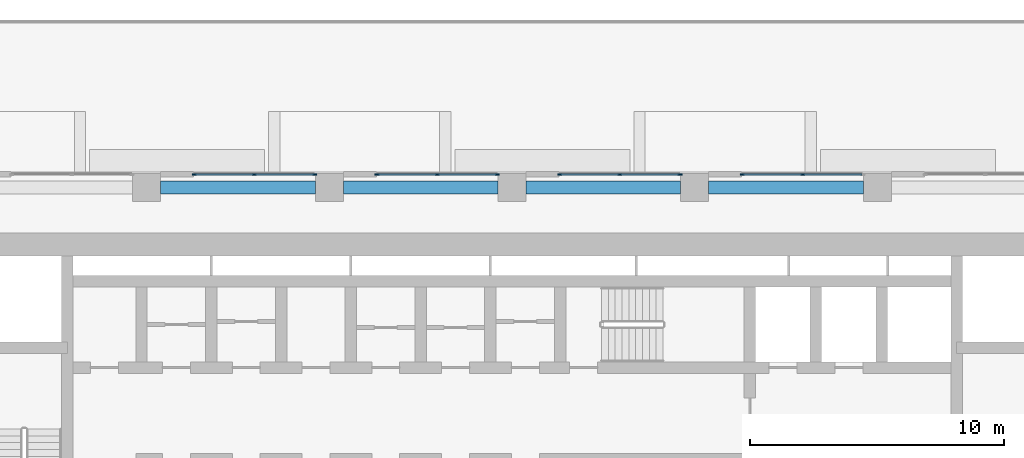
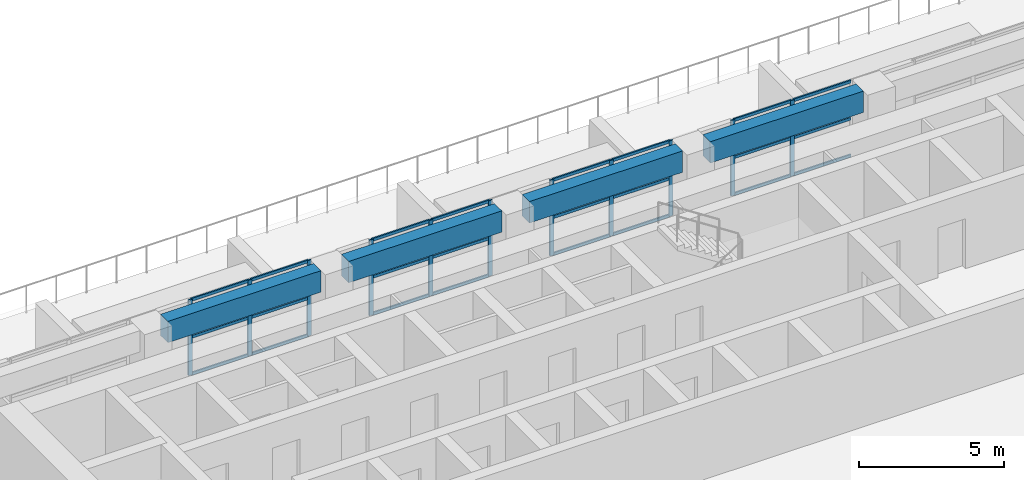
# One storey, part 6 of 24: 35 members, 4 beams, 4 elements without a shape of their own.
"""IFC4 building model written with IfcOpenShell, lengths in metres."""

import ifcopenshell
import ifcopenshell.guid

model = None  # the IFC model being written
_history = None  # IfcOwnerHistory: only IFC2X3 demands one
_inside = {}  # id of a spatial element -> (the spatial element, [elements in it])
_under = {}  # id of a project, library or spatial element -> (it, [spatial elements below it])
_declared = {}  # id of a project -> (the project, [libraries it declares])
_typed = {}  # id of a type object -> (the type object, [elements of that type])
_made_of = {}  # id of a material, layer set ... -> (it, [elements and type objects made of it])


def new_model(schema):
    """Start an empty IFC model of exactly this schema.

    Asked for "IFC4X3", IfcOpenShell would pick the latest addendum, in which some entities
    have other attributes; the version numbers below select the first issue.
    IFC2X3 requires an IfcOwnerHistory on every rooted entity: one is made here for all.
    """
    global model, _history
    if schema == "IFC4X3":
        model = ifcopenshell.file(schema_version=(4, 3, 0, 0))
    else:
        model = ifcopenshell.file(schema=schema)
    _inside.clear()
    _under.clear()
    _declared.clear()
    _typed.clear()
    _made_of.clear()
    _history = None
    if model.schema == "IFC2X3":
        org = make("IfcOrganization", Name="unknown")
        user = make(
            "IfcPersonAndOrganization",
            ThePerson=make("IfcPerson", FamilyName="unknown"),
            TheOrganization=org,
        )
        app = make(
            "IfcApplication",
            ApplicationDeveloper=org,
            Version="unknown",
            ApplicationFullName="unknown",
            ApplicationIdentifier="unknown",
        )
        _history = make(
            "IfcOwnerHistory",
            OwningUser=user,
            OwningApplication=app,
            ChangeAction="ADDED",
            CreationDate=0,
        )
    return model


def make(cls, **values):
    """One entity of the class cls with the attributes given. An attribute that is None is left unset."""
    return model.create_entity(
        cls, **{name: value for name, value in values.items() if value is not None}
    )


def rooted(cls, **values):
    """An entity with a GlobalId (a new one), such as an element, a storey or a relation."""
    return make(cls, GlobalId=ifcopenshell.guid.new(), OwnerHistory=_history, **values)


def si_unit(unit_type, name, prefix=None):
    """IfcSIUnit, for example si_unit("LENGTHUNIT", "METRE", prefix="MILLI")."""
    return make("IfcSIUnit", UnitType=unit_type, Prefix=prefix, Name=name)


def assignment(units):
    """IfcUnitAssignment: the units of a project."""
    return None if units is None else make("IfcUnitAssignment", Units=units)


def point(xyz):
    """IfcCartesianPoint."""
    return None if xyz is None else make("IfcCartesianPoint", Coordinates=xyz)


def direction(xyz):
    """IfcDirection."""
    return None if xyz is None else make("IfcDirection", DirectionRatios=xyz)


def frame(location, z_axis=None, x_axis=None):
    """IfcAxis2Placement3D, a coordinate frame: its origin and axes. An axis left out is left unset."""
    return make(
        "IfcAxis2Placement3D",
        Location=point(location),
        Axis=direction(z_axis),
        RefDirection=direction(x_axis),
    )


def frame_2d(location, x_axis=None):
    """IfcAxis2Placement2D, a coordinate frame in the plane: its origin and x axis."""
    return make(
        "IfcAxis2Placement2D", Location=point(location), RefDirection=direction(x_axis)
    )


def origin():
    """The frame at (0, 0, 0) with its axes left unset."""
    return frame((0.0, 0.0, 0.0))


def origin_2d():
    """The frame at (0, 0) in the plane with its x axis left unset."""
    return frame_2d((0.0, 0.0))


def place(relative_to, where):
    """IfcLocalPlacement: puts the frame where relative to a parent placement (None: the world)."""
    return make(
        "IfcLocalPlacement", PlacementRelTo=relative_to, RelativePlacement=where
    )


def context(
    kind, dimensions, precision=None, world=None, true_north=None, identifier=None
):
    """IfcGeometricRepresentationContext, for example the 3D "Model" context."""
    return make(
        "IfcGeometricRepresentationContext",
        ContextIdentifier=identifier,
        ContextType=kind,
        CoordinateSpaceDimension=dimensions,
        Precision=precision,
        WorldCoordinateSystem=world,
        TrueNorth=true_north,
    )


def subcontext(parent, identifier, kind, view, scale=None):
    """IfcGeometricRepresentationSubContext, for example "Body" below "Model"."""
    return make(
        "IfcGeometricRepresentationSubContext",
        ContextIdentifier=identifier,
        ContextType=kind,
        ParentContext=parent,
        TargetScale=scale,
        TargetView=view,
    )


def project(units=None, contexts=None):
    """IfcProject with its units and contexts."""
    return rooted(
        "IfcProject",
        Name="project",
        RepresentationContexts=contexts,
        UnitsInContext=assignment(units),
    )


def spatial(cls, under=None, at=None, **own):
    """A site, building, storey or space (cls), placed at a placement, below another one or the project."""
    s = rooted(cls, ObjectPlacement=at, **own)
    if under is not None:
        _under.setdefault(under.id(), (under, []))[1].append(s)
    return s


def profile(cls, at=None, kind="AREA", **sizes):
    """A parametric profile (cls). Its sizes go by their IFC names, for example OverallWidth=200.0."""
    return make(cls, ProfileType=kind, Position=at, **sizes)


def rectangle(**sizes):
    """IfcRectangleProfileDef."""
    return profile("IfcRectangleProfileDef", **sizes)


def extrude(swept, where, along, depth):
    """IfcExtrudedAreaSolid: the profile swept, set in the frame where, extruded along a direction by depth."""
    return make(
        "IfcExtrudedAreaSolid",
        SweptArea=swept,
        Position=where,
        ExtrudedDirection=direction(along),
        Depth=depth,
    )


def shape(context_of_items, identifier, shape_type, items):
    """IfcShapeRepresentation: the items that make up one representation, for example the "Body"."""
    return make(
        "IfcShapeRepresentation",
        ContextOfItems=context_of_items,
        RepresentationIdentifier=identifier,
        RepresentationType=shape_type,
        Items=items,
    )


def source(mapping_origin, context_of_items, identifier, shape_type, items):
    """IfcRepresentationMap: a shape defined once, which mapped items show again and again."""
    return make(
        "IfcRepresentationMap",
        MappingOrigin=mapping_origin,
        MappedRepresentation=shape(context_of_items, identifier, shape_type, items),
    )


def transform(
    local_origin,
    x_axis=None,
    y_axis=None,
    z_axis=None,
    scale=None,
    scale2=None,
    scale3=None,
    uniform=True,
):
    """IfcCartesianTransformationOperator3D, or its non-uniform kind. x_axis, y_axis, z_axis: its Axis1, 2, 3."""
    if uniform:
        return make(
            "IfcCartesianTransformationOperator3D",
            Axis1=direction(x_axis),
            Axis2=direction(y_axis),
            LocalOrigin=point(local_origin),
            Scale=scale,
            Axis3=direction(z_axis),
        )
    return make(
        "IfcCartesianTransformationOperator3DnonUniform",
        Axis1=direction(x_axis),
        Axis2=direction(y_axis),
        LocalOrigin=point(local_origin),
        Scale=scale,
        Axis3=direction(z_axis),
        Scale2=scale2,
        Scale3=scale3,
    )


def mapped(mapping_source, mapping_target):
    """IfcMappedItem: shows the shape of a source again, moved by a transform."""
    return make(
        "IfcMappedItem", MappingSource=mapping_source, MappingTarget=mapping_target
    )


def material(Name=None, Category=None):
    """IfcMaterial."""
    return make("IfcMaterial", Name=Name, Category=Category)


def layer(
    of_material, thickness, ventilated=None, Name=None, Category=None, Priority=None
):
    """IfcMaterialLayer: one layer of a wall or slab, of a material (None: an air gap)."""
    return make(
        "IfcMaterialLayer",
        Material=of_material,
        LayerThickness=thickness,
        IsVentilated=ventilated,
        Name=Name,
        Category=Category,
        Priority=Priority,
    )


def layer_set(layers, Name=None):
    """IfcMaterialLayerSet."""
    return make("IfcMaterialLayerSet", MaterialLayers=layers, LayerSetName=Name)


def material_profile(
    of_material, cross_section, Name=None, Category=None, Priority=None
):
    """IfcMaterialProfile: a cross section and its material."""
    return make(
        "IfcMaterialProfile",
        Name=Name,
        Material=of_material,
        Profile=cross_section,
        Priority=Priority,
        Category=Category,
    )


def profile_set(profiles, Name=None, composite=None):
    """IfcMaterialProfileSet."""
    return make(
        "IfcMaterialProfileSet",
        Name=Name,
        MaterialProfiles=profiles,
        CompositeProfile=composite,
    )


def made_of(thing, what):
    """Note that an element or type object is made of a material, layer set ...; save() writes the relation."""
    if what is not None:
        _made_of.setdefault(what.id(), (what, []))[1].append(thing)
    return thing


def type_object(cls, material=None, **own):
    """A type object (cls), such as IfcWallType, which elements share."""
    return made_of(rooted(cls, **own), material)


def element(
    cls,
    number,
    at=None,
    inside=None,
    cuts=None,
    type_object=None,
    material=None,
    context=None,
    identifier="Body",
    shape_type=None,
    held_by="IfcProductDefinitionShape",
    body=None,
    shapes=None,
    **own,
):
    """One element of the class cls, such as IfcWall. Its Tag is "e" and its number.

    at: its placement. inside: the storey or other place that contains it. cuts: it is an
    opening in that element (IfcRelVoidsElement). A single representation is given by context,
    identifier, shape_type and body (its items); several are given by shapes. held_by: the class
    of the entity that holds the representations. save() writes the other relations.
    """
    e = rooted(cls, Tag="e%d" % number, ObjectPlacement=at, **own)
    if body is not None:
        shapes = [shape(context, identifier, shape_type, body)]
    if shapes is not None:
        e.Representation = make(held_by, Representations=shapes)
    if inside is not None:
        _inside.setdefault(inside.id(), (inside, []))[1].append(e)
    if cuts is not None:
        rooted(
            "IfcRelVoidsElement", RelatingBuildingElement=cuts, RelatedOpeningElement=e
        )
    if type_object is not None:
        _typed.setdefault(type_object.id(), (type_object, []))[1].append(e)
    return made_of(e, material)


def aggregate(whole, parts):
    """IfcRelAggregates: a whole, such as a stair, and the parts it consists of."""
    return rooted("IfcRelAggregates", RelatingObject=whole, RelatedObjects=parts)


def save(model, path):
    """Write the relations noted so far, then the file.

    IfcRelAggregates (storeys below a building ...), IfcRelContainedInSpatialStructure (elements
    in a storey), IfcRelDefinesByType, IfcRelAssociatesMaterial and IfcRelDeclares: one each for
    every whole, place, type object, material and project.
    """
    for whole, parts in _under.values():
        aggregate(whole, parts)
    for where, things in _inside.values():
        rooted(
            "IfcRelContainedInSpatialStructure",
            RelatedElements=things,
            RelatingStructure=where,
        )
    for kind, things in _typed.values():
        rooted("IfcRelDefinesByType", RelatedObjects=things, RelatingType=kind)
    for what, things in _made_of.values():
        rooted("IfcRelAssociatesMaterial", RelatedObjects=things, RelatingMaterial=what)
    for by, libraries in _declared.values():
        rooted("IfcRelDeclares", RelatingContext=by, RelatedDefinitions=libraries)
    model.write(path)


model = new_model("IFC4")

# Units and contexts
model_context = context("Model", 3, precision=1e-05, world=origin(), true_north=direction((0.0, 1.0)))
body_context = subcontext(model_context, "Body", "Model", "MODEL_VIEW")
ifc_project = project(units=[si_unit("LENGTHUNIT", "METRE"), si_unit("AREAUNIT", "SQUARE_METRE"), si_unit("VOLUMEUNIT", "CUBIC_METRE"), si_unit("PLANEANGLEUNIT", "RADIAN"), si_unit("MASSUNIT", "GRAM", prefix="KILO")], contexts=[model_context])

# Site, building, storey
site_placement = place(None, origin())
site = spatial("IfcSite", under=ifc_project, at=site_placement, CompositionType="ELEMENT")
building_placement = place(site_placement, origin())
building = spatial("IfcBuilding", under=site, at=building_placement, Name="Saffron Iwan Residences", CompositionType="ELEMENT")
storey_placement = place(building_placement, frame((0.0, 0.0, 27.0)))
storey = spatial("IfcBuildingStorey", under=building, at=storey_placement, Name="L05", CompositionType="ELEMENT", Elevation=27.0)

# Beams
ifc_material_1 = material(Name="Concrete C60/75", Category="concrete")
ifc_material_profile_1 = material_profile(ifc_material_1, rectangle(XDim=0.5, YDim=0.89990234375, at=origin_2d()), Name="RC 500x900")
ifc_profile_set_1 = profile_set([ifc_material_profile_1], Name="Concrete C60/75")
beam_type = type_object("IfcBeamType", Name="SPANDREL BEAM RC 500x900 C60/75 TOP 3180", PredefinedType="SPANDREL", material=ifc_profile_set_1)
shared_shape_1 = source(origin(), body_context, "Body", "SweptSolid", [
    extrude(rectangle(XDim=0.5, YDim=0.89990234375, at=origin_2d()), origin(), (0.0, 0.0, 1.0), 6.10009765625),
])
for number, where, z_axis, x_axis, name in (
    (1, (43.75, 79.800048828125, 2.72998046875), (1.0, 0.0, 0.0), (0.0, 1.0, 0.0), "Spandrel beam"),
    (2, (50.949951171875, 79.800048828125, 2.72998046875), (1.0, 0.0, 0.0), (0.0, 1.0, 0.0), "Spandrel beam"),
    (3, (58.14990234375, 79.800048828125, 2.72998046875), (1.0, 0.0, 0.0), (0.0, 1.0, 0.0), "Spandrel beam"),
):
    element("IfcBeam", number, at=place(storey_placement, frame(where, z_axis=z_axis, x_axis=x_axis)), inside=storey, type_object=beam_type, Name=name, PredefinedType="SPANDREL", context=body_context, shape_type="MappedRepresentation", body=[
        mapped(shared_shape_1, transform((0.0, 0.0, 0.0))),
    ])
shared_shape_2 = source(origin(), body_context, "Body", "SweptSolid", [
    extrude(rectangle(XDim=0.5, YDim=0.89990234375, at=origin_2d()), origin(), (0.0, 0.0, 1.0), 6.099853515625),
])
beam_placement = place(storey_placement, frame((36.550048828125, 79.800048828125, 2.72998046875), z_axis=(1.0, 0.0, 0.0), x_axis=(0.0, 1.0, 0.0)))
element("IfcBeam", 4, at=beam_placement, inside=storey, type_object=beam_type, Name="Spandrel beam", PredefinedType="SPANDREL", context=body_context, shape_type="MappedRepresentation", body=[
    mapped(shared_shape_2, transform((0.0, 0.0, 0.0))),
])

# Curtain wall, members
ifc_material_2 = material(Name="Clear glass, laminated double glazed", Category="glass")
ifc_layer = layer(ifc_material_2, 0.14990234375)
ifc_layer_set = layer_set([ifc_layer], Name="Clear glass, laminated double glazed")
curtain_wall_type = type_object("IfcCurtainWallType", Name="CW-D GARDEN FLOOR GLAZING", PredefinedType="NOTDEFINED", material=ifc_layer_set)
curtain_wall_1_placement = place(storey_placement, origin())
curtain_wall_1 = element("IfcCurtainWall", 5, at=curtain_wall_1_placement, inside=storey, type_object=curtain_wall_type, Name="Glazing L05 F5.3", PredefinedType="NOTDEFINED")
ifc_material_3 = material(Name="Aluminium 6063-T6", Category="aluminium")
ifc_material_profile_2 = material_profile(ifc_material_3, rectangle(XDim=0.06005859375, YDim=0.159912109375, at=origin_2d()), Name="CW-D MULLION 60 x 160")
ifc_profile_set_2 = profile_set([ifc_material_profile_2], Name="Aluminium 6063-T6")
member_type_1 = type_object("IfcMemberType", Name="CW-D MULLION 60 x 160", PredefinedType="MULLION", material=ifc_profile_set_2)
shared_shape_3 = source(origin(), body_context, "Body", "SweptSolid", [
    extrude(rectangle(XDim=0.06005859375, YDim=0.159912109375, at=origin_2d()), origin(), (0.0, 0.0, 1.0), 3.179931640625),
])
member_1_placement = place(storey_placement, frame((61.85009765625, 80.320068359375, 0.0), z_axis=(0.0, 0.0, 1.0), x_axis=(0.0, -1.0, 0.0)))
member_1 = element("IfcMember", 6, at=member_1_placement, type_object=member_type_1, Name="CW-D mullion 2", PredefinedType="MULLION", context=body_context, shape_type="MappedRepresentation", body=[
    mapped(shared_shape_3, transform((0.0, 0.0, 0.0))),
])
member_2_placement = place(storey_placement, frame((59.47998046875, 80.320068359375, 0.0), z_axis=(0.0, 0.0, 1.0), x_axis=(0.0, -1.0, 0.0)))
member_2 = element("IfcMember", 7, at=member_2_placement, type_object=member_type_1, Name="CW-D mullion 3", PredefinedType="MULLION", context=body_context, shape_type="MappedRepresentation", body=[
    mapped(shared_shape_3, transform((0.0, 0.0, 0.0))),
])

curtain_wall_2_placement = place(storey_placement, origin())
curtain_wall_2 = element("IfcCurtainWall", 8, at=curtain_wall_2_placement, inside=storey, type_object=curtain_wall_type, Name="Glazing L05 F5.4", PredefinedType="NOTDEFINED")
member_3_placement = place(storey_placement, frame((57.02001953125, 80.320068359375, 0.0), z_axis=(0.0, 0.0, 1.0), x_axis=(0.0, -1.0, 0.0)))
member_3 = element("IfcMember", 9, at=member_3_placement, type_object=member_type_1, Name="CW-D mullion 1", PredefinedType="MULLION", context=body_context, shape_type="MappedRepresentation", body=[
    mapped(shared_shape_3, transform((0.0, 0.0, 0.0))),
])
member_4_placement = place(storey_placement, frame((54.64990234375, 80.320068359375, 0.0), z_axis=(0.0, 0.0, 1.0), x_axis=(0.0, -1.0, 0.0)))
member_4 = element("IfcMember", 10, at=member_4_placement, type_object=member_type_1, Name="CW-D mullion 2", PredefinedType="MULLION", context=body_context, shape_type="MappedRepresentation", body=[
    mapped(shared_shape_3, transform((0.0, 0.0, 0.0))),
])
member_5_placement = place(storey_placement, frame((52.280029296875, 80.320068359375, 0.0), z_axis=(0.0, 0.0, 1.0), x_axis=(0.0, -1.0, 0.0)))
member_5 = element("IfcMember", 11, at=member_5_placement, type_object=member_type_1, Name="CW-D mullion 3", PredefinedType="MULLION", context=body_context, shape_type="MappedRepresentation", body=[
    mapped(shared_shape_3, transform((0.0, 0.0, 0.0))),
])

curtain_wall_3_placement = place(storey_placement, origin())
curtain_wall_3 = element("IfcCurtainWall", 12, at=curtain_wall_3_placement, inside=storey, type_object=curtain_wall_type, Name="Glazing L05 F5.5", PredefinedType="NOTDEFINED")
member_6_placement = place(storey_placement, frame((49.820068359375, 80.320068359375, 0.0), z_axis=(0.0, 0.0, 1.0), x_axis=(0.0, -1.0, 0.0)))
member_6 = element("IfcMember", 13, at=member_6_placement, type_object=member_type_1, Name="CW-D mullion 1", PredefinedType="MULLION", context=body_context, shape_type="MappedRepresentation", body=[
    mapped(shared_shape_3, transform((0.0, 0.0, 0.0))),
])
member_7_placement = place(storey_placement, frame((47.449951171875, 80.320068359375, 0.0), z_axis=(0.0, 0.0, 1.0), x_axis=(0.0, -1.0, 0.0)))
member_7 = element("IfcMember", 14, at=member_7_placement, type_object=member_type_1, Name="CW-D mullion 2", PredefinedType="MULLION", context=body_context, shape_type="MappedRepresentation", body=[
    mapped(shared_shape_3, transform((0.0, 0.0, 0.0))),
])
member_8_placement = place(storey_placement, frame((45.080078125, 80.320068359375, 0.0), z_axis=(0.0, 0.0, 1.0), x_axis=(0.0, -1.0, 0.0)))
member_8 = element("IfcMember", 15, at=member_8_placement, type_object=member_type_1, Name="CW-D mullion 3", PredefinedType="MULLION", context=body_context, shape_type="MappedRepresentation", body=[
    mapped(shared_shape_3, transform((0.0, 0.0, 0.0))),
])

curtain_wall_4_placement = place(storey_placement, origin())
curtain_wall_4 = element("IfcCurtainWall", 16, at=curtain_wall_4_placement, inside=storey, type_object=curtain_wall_type, Name="Glazing L05 F5.6", PredefinedType="NOTDEFINED")
member_9_placement = place(storey_placement, frame((42.6201171875, 80.320068359375, 0.0), z_axis=(0.0, 0.0, 1.0), x_axis=(0.0, -1.0, 0.0)))
member_9 = element("IfcMember", 17, at=member_9_placement, type_object=member_type_1, Name="CW-D mullion 1", PredefinedType="MULLION", context=body_context, shape_type="MappedRepresentation", body=[
    mapped(shared_shape_3, transform((0.0, 0.0, 0.0))),
])
member_10_placement = place(storey_placement, frame((40.25, 80.320068359375, 0.0), z_axis=(0.0, 0.0, 1.0), x_axis=(0.0, -1.0, 0.0)))
member_10 = element("IfcMember", 18, at=member_10_placement, type_object=member_type_1, Name="CW-D mullion 2", PredefinedType="MULLION", context=body_context, shape_type="MappedRepresentation", body=[
    mapped(shared_shape_3, transform((0.0, 0.0, 0.0))),
])
member_11_placement = place(storey_placement, frame((37.8798828125, 80.320068359375, 0.0), z_axis=(0.0, 0.0, 1.0), x_axis=(0.0, -1.0, 0.0)))
member_11 = element("IfcMember", 19, at=member_11_placement, type_object=member_type_1, Name="CW-D mullion 3", PredefinedType="MULLION", context=body_context, shape_type="MappedRepresentation", body=[
    mapped(shared_shape_3, transform((0.0, 0.0, 0.0))),
])

# Member
ifc_material_profile_3 = material_profile(ifc_material_3, rectangle(XDim=0.06005859375, YDim=0.1201171875, at=origin_2d()), Name="CW-D TRANSOM 60 x 120")
ifc_profile_set_3 = profile_set([ifc_material_profile_3], Name="Aluminium 6063-T6")
member_type_2 = type_object("IfcMemberType", Name="CW-D TRANSOM 60 x 120", PredefinedType="USERDEFINED", material=ifc_profile_set_3)
shared_shape_4 = source(origin(), body_context, "Body", "SweptSolid", [
    extrude(rectangle(XDim=0.06005859375, YDim=0.1201171875, at=origin_2d()), origin(), (0.0, 0.0, 1.0), 2.31005859375),
])
member_12_placement = place(storey_placement, frame((64.18994140625, 80.320068359375, 0.030029296875), z_axis=(-1.0, 0.0, 0.0), x_axis=(0.0, -1.0, 0.0)))
member_12 = element("IfcMember", 20, at=member_12_placement, type_object=member_type_2, Name="CW-D transom 1.1", ObjectType="TRANSOM", PredefinedType="USERDEFINED", context=body_context, shape_type="MappedRepresentation", body=[
    mapped(shared_shape_4, transform((0.0, 0.0, 0.0))),
])

member_13_placement = place(storey_placement, frame((64.18994140625, 80.320068359375, 1.590087890625), z_axis=(-1.0, 0.0, 0.0), x_axis=(0.0, -1.0, 0.0)))
member_13 = element("IfcMember", 21, at=member_13_placement, type_object=member_type_2, Name="CW-D transom 1.2", ObjectType="TRANSOM", PredefinedType="USERDEFINED", context=body_context, shape_type="MappedRepresentation", body=[
    mapped(shared_shape_4, transform((0.0, 0.0, 0.0))),
])

member_14_placement = place(storey_placement, frame((64.18994140625, 80.320068359375, 3.14990234375), z_axis=(-1.0, 0.0, 0.0), x_axis=(0.0, -1.0, 0.0)))
member_14 = element("IfcMember", 22, at=member_14_placement, type_object=member_type_2, Name="CW-D transom 1.3", ObjectType="TRANSOM", PredefinedType="USERDEFINED", context=body_context, shape_type="MappedRepresentation", body=[
    mapped(shared_shape_4, transform((0.0, 0.0, 0.0))),
])

member_15_placement = place(storey_placement, frame((61.820068359375, 80.320068359375, 0.030029296875), z_axis=(-1.0, 0.0, 0.0), x_axis=(0.0, -1.0, 0.0)))
member_15 = element("IfcMember", 23, at=member_15_placement, type_object=member_type_2, Name="CW-D transom 2.1", ObjectType="TRANSOM", PredefinedType="USERDEFINED", context=body_context, shape_type="MappedRepresentation", body=[
    mapped(shared_shape_4, transform((0.0, 0.0, 0.0))),
])

member_16_placement = place(storey_placement, frame((61.820068359375, 80.320068359375, 1.590087890625), z_axis=(-1.0, 0.0, 0.0), x_axis=(0.0, -1.0, 0.0)))
member_16 = element("IfcMember", 24, at=member_16_placement, type_object=member_type_2, Name="CW-D transom 2.2", ObjectType="TRANSOM", PredefinedType="USERDEFINED", context=body_context, shape_type="MappedRepresentation", body=[
    mapped(shared_shape_4, transform((0.0, 0.0, 0.0))),
])

member_17_placement = place(storey_placement, frame((61.820068359375, 80.320068359375, 3.14990234375), z_axis=(-1.0, 0.0, 0.0), x_axis=(0.0, -1.0, 0.0)))
member_17 = element("IfcMember", 25, at=member_17_placement, type_object=member_type_2, Name="CW-D transom 2.3", ObjectType="TRANSOM", PredefinedType="USERDEFINED", context=body_context, shape_type="MappedRepresentation", body=[
    mapped(shared_shape_4, transform((0.0, 0.0, 0.0))),
])

aggregate(curtain_wall_1, [member_1, member_2, member_12, member_13, member_14, member_15, member_16, member_17])

member_18_placement = place(storey_placement, frame((56.989990234375, 80.320068359375, 0.030029296875), z_axis=(-1.0, 0.0, 0.0), x_axis=(0.0, -1.0, 0.0)))
member_18 = element("IfcMember", 26, at=member_18_placement, type_object=member_type_2, Name="CW-D transom 1.1", ObjectType="TRANSOM", PredefinedType="USERDEFINED", context=body_context, shape_type="MappedRepresentation", body=[
    mapped(shared_shape_4, transform((0.0, 0.0, 0.0))),
])

member_19_placement = place(storey_placement, frame((56.989990234375, 80.320068359375, 1.590087890625), z_axis=(-1.0, 0.0, 0.0), x_axis=(0.0, -1.0, 0.0)))
member_19 = element("IfcMember", 27, at=member_19_placement, type_object=member_type_2, Name="CW-D transom 1.2", ObjectType="TRANSOM", PredefinedType="USERDEFINED", context=body_context, shape_type="MappedRepresentation", body=[
    mapped(shared_shape_4, transform((0.0, 0.0, 0.0))),
])

member_20_placement = place(storey_placement, frame((56.989990234375, 80.320068359375, 3.14990234375), z_axis=(-1.0, 0.0, 0.0), x_axis=(0.0, -1.0, 0.0)))
member_20 = element("IfcMember", 28, at=member_20_placement, type_object=member_type_2, Name="CW-D transom 1.3", ObjectType="TRANSOM", PredefinedType="USERDEFINED", context=body_context, shape_type="MappedRepresentation", body=[
    mapped(shared_shape_4, transform((0.0, 0.0, 0.0))),
])

member_21_placement = place(storey_placement, frame((54.6201171875, 80.320068359375, 0.030029296875), z_axis=(-1.0, 0.0, 0.0), x_axis=(0.0, -1.0, 0.0)))
member_21 = element("IfcMember", 29, at=member_21_placement, type_object=member_type_2, Name="CW-D transom 2.1", ObjectType="TRANSOM", PredefinedType="USERDEFINED", context=body_context, shape_type="MappedRepresentation", body=[
    mapped(shared_shape_4, transform((0.0, 0.0, 0.0))),
])

member_22_placement = place(storey_placement, frame((54.6201171875, 80.320068359375, 1.590087890625), z_axis=(-1.0, 0.0, 0.0), x_axis=(0.0, -1.0, 0.0)))
member_22 = element("IfcMember", 30, at=member_22_placement, type_object=member_type_2, Name="CW-D transom 2.2", ObjectType="TRANSOM", PredefinedType="USERDEFINED", context=body_context, shape_type="MappedRepresentation", body=[
    mapped(shared_shape_4, transform((0.0, 0.0, 0.0))),
])

member_23_placement = place(storey_placement, frame((54.6201171875, 80.320068359375, 3.14990234375), z_axis=(-1.0, 0.0, 0.0), x_axis=(0.0, -1.0, 0.0)))
member_23 = element("IfcMember", 31, at=member_23_placement, type_object=member_type_2, Name="CW-D transom 2.3", ObjectType="TRANSOM", PredefinedType="USERDEFINED", context=body_context, shape_type="MappedRepresentation", body=[
    mapped(shared_shape_4, transform((0.0, 0.0, 0.0))),
])

aggregate(curtain_wall_2, [member_3, member_4, member_5, member_18, member_19, member_20, member_21, member_22, member_23])

member_24_placement = place(storey_placement, frame((49.7900390625, 80.320068359375, 0.030029296875), z_axis=(-1.0, 0.0, 0.0), x_axis=(0.0, -1.0, 0.0)))
member_24 = element("IfcMember", 32, at=member_24_placement, type_object=member_type_2, Name="CW-D transom 1.1", ObjectType="TRANSOM", PredefinedType="USERDEFINED", context=body_context, shape_type="MappedRepresentation", body=[
    mapped(shared_shape_4, transform((0.0, 0.0, 0.0))),
])

member_25_placement = place(storey_placement, frame((49.7900390625, 80.320068359375, 1.590087890625), z_axis=(-1.0, 0.0, 0.0), x_axis=(0.0, -1.0, 0.0)))
member_25 = element("IfcMember", 33, at=member_25_placement, type_object=member_type_2, Name="CW-D transom 1.2", ObjectType="TRANSOM", PredefinedType="USERDEFINED", context=body_context, shape_type="MappedRepresentation", body=[
    mapped(shared_shape_4, transform((0.0, 0.0, 0.0))),
])

member_26_placement = place(storey_placement, frame((49.7900390625, 80.320068359375, 3.14990234375), z_axis=(-1.0, 0.0, 0.0), x_axis=(0.0, -1.0, 0.0)))
member_26 = element("IfcMember", 34, at=member_26_placement, type_object=member_type_2, Name="CW-D transom 1.3", ObjectType="TRANSOM", PredefinedType="USERDEFINED", context=body_context, shape_type="MappedRepresentation", body=[
    mapped(shared_shape_4, transform((0.0, 0.0, 0.0))),
])

member_27_placement = place(storey_placement, frame((42.590087890625, 80.320068359375, 0.030029296875), z_axis=(-1.0, 0.0, 0.0), x_axis=(0.0, -1.0, 0.0)))
member_27 = element("IfcMember", 35, at=member_27_placement, type_object=member_type_2, Name="CW-D transom 1.1", ObjectType="TRANSOM", PredefinedType="USERDEFINED", context=body_context, shape_type="MappedRepresentation", body=[
    mapped(shared_shape_4, transform((0.0, 0.0, 0.0))),
])

member_28_placement = place(storey_placement, frame((42.590087890625, 80.320068359375, 1.590087890625), z_axis=(-1.0, 0.0, 0.0), x_axis=(0.0, -1.0, 0.0)))
member_28 = element("IfcMember", 36, at=member_28_placement, type_object=member_type_2, Name="CW-D transom 1.2", ObjectType="TRANSOM", PredefinedType="USERDEFINED", context=body_context, shape_type="MappedRepresentation", body=[
    mapped(shared_shape_4, transform((0.0, 0.0, 0.0))),
])

member_29_placement = place(storey_placement, frame((42.590087890625, 80.320068359375, 3.14990234375), z_axis=(-1.0, 0.0, 0.0), x_axis=(0.0, -1.0, 0.0)))
member_29 = element("IfcMember", 37, at=member_29_placement, type_object=member_type_2, Name="CW-D transom 1.3", ObjectType="TRANSOM", PredefinedType="USERDEFINED", context=body_context, shape_type="MappedRepresentation", body=[
    mapped(shared_shape_4, transform((0.0, 0.0, 0.0))),
])

member_30_placement = place(storey_placement, frame((40.219970703125, 80.320068359375, 0.030029296875), z_axis=(-1.0, 0.0, 0.0), x_axis=(0.0, -1.0, 0.0)))
member_30 = element("IfcMember", 38, at=member_30_placement, type_object=member_type_2, Name="CW-D transom 2.1", ObjectType="TRANSOM", PredefinedType="USERDEFINED", context=body_context, shape_type="MappedRepresentation", body=[
    mapped(shared_shape_4, transform((0.0, 0.0, 0.0))),
])

member_31_placement = place(storey_placement, frame((40.219970703125, 80.320068359375, 1.590087890625), z_axis=(-1.0, 0.0, 0.0), x_axis=(0.0, -1.0, 0.0)))
member_31 = element("IfcMember", 39, at=member_31_placement, type_object=member_type_2, Name="CW-D transom 2.2", ObjectType="TRANSOM", PredefinedType="USERDEFINED", context=body_context, shape_type="MappedRepresentation", body=[
    mapped(shared_shape_4, transform((0.0, 0.0, 0.0))),
])

member_32_placement = place(storey_placement, frame((40.219970703125, 80.320068359375, 3.14990234375), z_axis=(-1.0, 0.0, 0.0), x_axis=(0.0, -1.0, 0.0)))
member_32 = element("IfcMember", 40, at=member_32_placement, type_object=member_type_2, Name="CW-D transom 2.3", ObjectType="TRANSOM", PredefinedType="USERDEFINED", context=body_context, shape_type="MappedRepresentation", body=[
    mapped(shared_shape_4, transform((0.0, 0.0, 0.0))),
])

aggregate(curtain_wall_4, [member_9, member_10, member_11, member_27, member_28, member_29, member_30, member_31, member_32])

shared_shape_5 = source(origin(), body_context, "Body", "SweptSolid", [
    extrude(rectangle(XDim=0.06005859375, YDim=0.1201171875, at=origin_2d()), origin(), (0.0, 0.0, 1.0), 2.309814453125),
])
member_33_placement = place(storey_placement, frame((47.419921875, 80.320068359375, 0.030029296875), z_axis=(-1.0, 0.0, 0.0), x_axis=(0.0, -1.0, 0.0)))
member_33 = element("IfcMember", 41, at=member_33_placement, type_object=member_type_2, Name="CW-D transom 2.1", ObjectType="TRANSOM", PredefinedType="USERDEFINED", context=body_context, shape_type="MappedRepresentation", body=[
    mapped(shared_shape_5, transform((0.0, 0.0, 0.0))),
])

member_34_placement = place(storey_placement, frame((47.419921875, 80.320068359375, 1.590087890625), z_axis=(-1.0, 0.0, 0.0), x_axis=(0.0, -1.0, 0.0)))
member_34 = element("IfcMember", 42, at=member_34_placement, type_object=member_type_2, Name="CW-D transom 2.2", ObjectType="TRANSOM", PredefinedType="USERDEFINED", context=body_context, shape_type="MappedRepresentation", body=[
    mapped(shared_shape_5, transform((0.0, 0.0, 0.0))),
])

member_35_placement = place(storey_placement, frame((47.419921875, 80.320068359375, 3.14990234375), z_axis=(-1.0, 0.0, 0.0), x_axis=(0.0, -1.0, 0.0)))
member_35 = element("IfcMember", 43, at=member_35_placement, type_object=member_type_2, Name="CW-D transom 2.3", ObjectType="TRANSOM", PredefinedType="USERDEFINED", context=body_context, shape_type="MappedRepresentation", body=[
    mapped(shared_shape_5, transform((0.0, 0.0, 0.0))),
])

aggregate(curtain_wall_3, [member_6, member_7, member_8, member_24, member_25, member_26, member_33, member_34, member_35])

save(model, "model.ifc")
